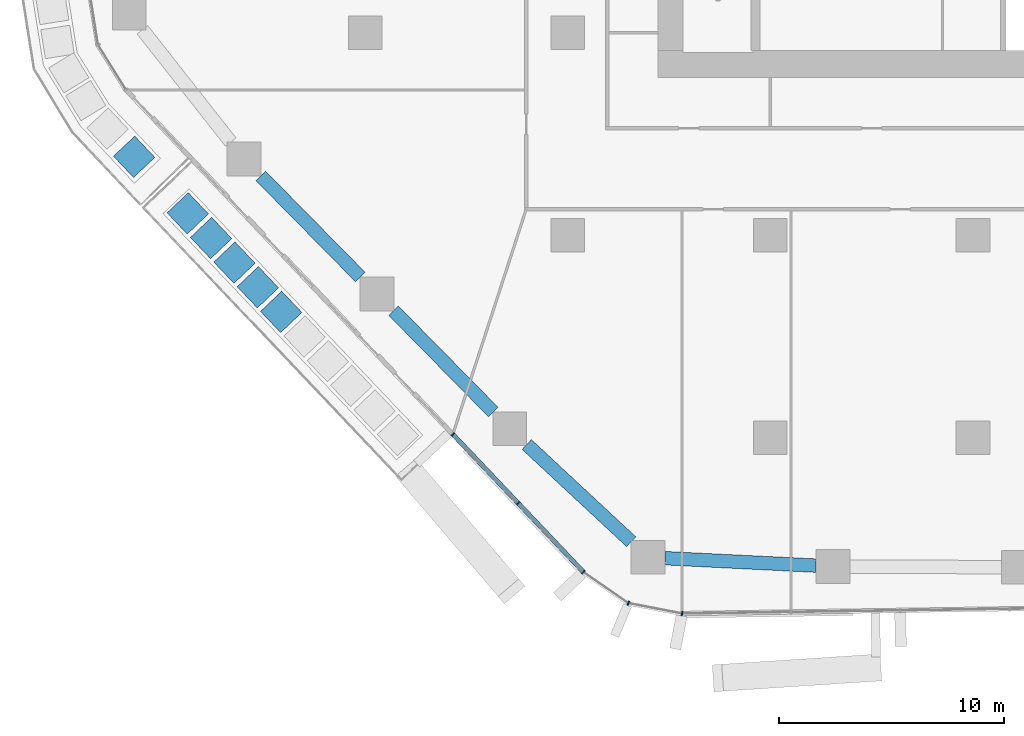
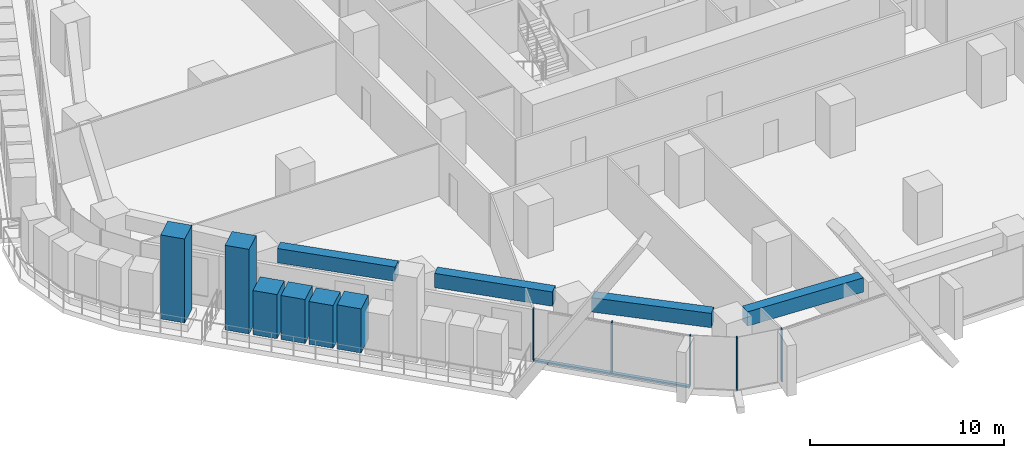
# One storey, part 2 of 24: 12 members, 4 beams, 2 elements without a shape of their own.
"""IFC4 building model written with IfcOpenShell, lengths in metres."""

from ifc_helpers import new_model, si_unit, direction, frame, origin, origin_2d, place, context, subcontext, project, spatial, rectangle, extrude, material, layer, layer_set, material_profile, profile_set, type_object, element, aggregate, save


model = new_model("IFC4")

# Units and contexts
model_context = context("Model", 3, precision=1e-05, world=origin(), true_north=direction((0.0, 1.0)))
body_context = subcontext(model_context, "Body", "Model", "MODEL_VIEW")
ifc_project = project(units=[si_unit("LENGTHUNIT", "METRE"), si_unit("AREAUNIT", "SQUARE_METRE"), si_unit("VOLUMEUNIT", "CUBIC_METRE"), si_unit("PLANEANGLEUNIT", "RADIAN"), si_unit("MASSUNIT", "GRAM", prefix="KILO")], contexts=[model_context])

# Site, building, storey
site_placement = place(None, origin())
site = spatial("IfcSite", under=ifc_project, at=site_placement, CompositionType="ELEMENT")
building_placement = place(site_placement, origin())
building = spatial("IfcBuilding", under=site, at=building_placement, Name="Dongbaek Canopy Tower", CompositionType="ELEMENT")
storey_placement = place(building_placement, frame((0.0, 0.0, 51.39990234375)))
storey = spatial("IfcBuildingStorey", under=building, at=storey_placement, Name="L08", CompositionType="ELEMENT", Elevation=51.39990234375)

# Curtain wall, members
ifc_material_1 = material(Name="Aluminium 6063-T6 pale anodised", Category="aluminium")
ifc_layer = layer(ifc_material_1, 0.199951171875)
ifc_layer_set = layer_set([ifc_layer], Name="CW-1 unitised tower curtain wall")
curtain_wall_type = type_object("IfcCurtainWallType", Name="CW-1 unitised tower curtain wall", PredefinedType="NOTDEFINED", material=ifc_layer_set)
curtain_wall_1_placement = place(storey_placement, origin())
curtain_wall_1 = element("IfcCurtainWall", 1, at=curtain_wall_1_placement, inside=storey, type_object=curtain_wall_type, Name="CW-1 curtain wall F3.1", PredefinedType="NOTDEFINED")
ifc_material_2 = material(Name="Aluminium 6063-T6 pale anodised", Category="aluminium")
ifc_material_profile_1 = material_profile(ifc_material_2, rectangle(XDim=0.199951171875, YDim=0.06005859375, at=origin_2d()), Name="CW-1 mullion 60 x 200")
ifc_profile_set_1 = profile_set([ifc_material_profile_1], Name="Aluminium 6063-T6 pale anodised")
member_type_1 = type_object("IfcMemberType", Name="CW-1 mullion 60 x 200", PredefinedType="MULLION", material=ifc_profile_set_1)
member_1_placement = place(storey_placement, frame((-23.107421875, -26.84814453125, 0.1201171875), z_axis=(0.0, 0.0, 1.0), x_axis=(-0.725626548924, -0.688088738098, 0.0)))
member_1 = element("IfcMember", 2, at=member_1_placement, type_object=member_type_1, Name="CW-1 mullion F3.1.1", PredefinedType="MULLION", context=body_context, shape_type="SweptSolid", body=[
    extrude(rectangle(XDim=0.199951171875, YDim=0.06005859375, at=origin_2d()), origin(), (0.0, 0.0, 1.0), 3.179931640625),
])
member_2_placement = place(storey_placement, frame((-20.203369140625, -29.91064453125, 0.1201171875), z_axis=(0.0, 0.0, 1.0), x_axis=(-0.725626548924, -0.688088738098, 0.0)))
member_2 = element("IfcMember", 3, at=member_2_placement, type_object=member_type_1, Name="CW-1 mullion F3.1.2", PredefinedType="MULLION", context=body_context, shape_type="SweptSolid", body=[
    extrude(rectangle(XDim=0.199951171875, YDim=0.06005859375, at=origin_2d()), origin(), (0.0, 0.0, 1.0), 3.179931640625),
])
member_3_placement = place(storey_placement, frame((-17.306396484375, -32.9658203125, 0.1201171875), z_axis=(0.0, 0.0, 1.0), x_axis=(-0.725626548924, -0.688088738098, 0.0)))
member_3 = element("IfcMember", 4, at=member_3_placement, type_object=member_type_1, Name="CW-1 mullion F3.1.3", PredefinedType="MULLION", context=body_context, shape_type="SweptSolid", body=[
    extrude(rectangle(XDim=0.199951171875, YDim=0.06005859375, at=origin_2d()), origin(), (0.0, 0.0, 1.0), 3.179931640625),
])

curtain_wall_2_placement = place(storey_placement, origin())
curtain_wall_2 = element("IfcCurtainWall", 5, at=curtain_wall_2_placement, inside=storey, type_object=curtain_wall_type, Name="CW-1 curtain wall K4.1", PredefinedType="NOTDEFINED")
member_4_placement = place(storey_placement, frame((-15.3076171875, -34.348876953125, 0.0), z_axis=(0.0, 0.0, 1.0), x_axis=(-0.388186162489, -0.921580980301, 0.0)))
member_4 = element("IfcMember", 6, at=member_4_placement, type_object=member_type_1, Name="CW-1 mullion K4.1.2", PredefinedType="MULLION", context=body_context, shape_type="SweptSolid", body=[
    extrude(rectangle(XDim=0.199951171875, YDim=0.06005859375, at=origin_2d()), origin(), (0.0, 0.0, 1.0), 3.300048828125),
])
member_5_placement = place(storey_placement, frame((-12.92138671875, -34.812744140625, 0.0), z_axis=(0.0, 0.0, 1.0), x_axis=(-0.190843757955, -0.981620425648, 0.0)))
member_5 = element("IfcMember", 7, at=member_5_placement, type_object=member_type_1, Name="CW-1 mullion K4.1.3", PredefinedType="MULLION", context=body_context, shape_type="SweptSolid", body=[
    extrude(rectangle(XDim=0.199951171875, YDim=0.06005859375, at=origin_2d()), origin(), (0.0, 0.0, 1.0), 3.300048828125),
])
aggregate(curtain_wall_2, [member_4, member_5])

# Member
ifc_material_3 = material(Name="Aluminium 6063-T6 pale anodised", Category="aluminium")
ifc_material_profile_2 = material_profile(ifc_material_3, rectangle(XDim=0.199951171875, YDim=0.1201171875, at=origin_2d()), Name="CW-1 transom 120 x 200")
ifc_profile_set_2 = profile_set([ifc_material_profile_2], Name="Aluminium 6063-T6 pale anodised")
member_type_2 = type_object("IfcMemberType", Name="CW-1 transom 120 x 200", PredefinedType="USERDEFINED", material=ifc_profile_set_2)
member_6_placement = place(storey_placement, frame((-23.107421875, -26.84814453125, 0.06005859375), z_axis=(0.688077912798, -0.72563681406, 0.0), x_axis=(0.72563681406, 0.688077912798, 0.0)))
member_6 = element("IfcMember", 8, at=member_6_placement, type_object=member_type_2, Name="CW-1 transom F3.1.1", ObjectType="TRANSOM", PredefinedType="USERDEFINED", context=body_context, shape_type="SweptSolid", body=[
    extrude(rectangle(XDim=0.199951171875, YDim=0.1201171875, at=origin_2d()), origin(), (0.0, 0.0, 1.0), 8.4306640625),
])

aggregate(curtain_wall_1, [member_1, member_2, member_3, member_6])

# Beams
ifc_material_4 = material(Name="Concrete C80", Category="concrete")
ifc_material_profile_3 = material_profile(ifc_material_4, rectangle(XDim=0.60009765625, YDim=0.89990234375, at=origin_2d()), Name="RC EDGE BEAM 600x900 C80")
ifc_profile_set_3 = profile_set([ifc_material_profile_3], Name="Concrete C80")
beam_type = type_object("IfcBeamType", Name="RC EDGE BEAM 600x900 C80", PredefinedType="BEAM", material=ifc_profile_set_3)
beam_1_placement = place(storey_placement, frame((-6.971923828125, -32.68017578125, 2.85009765625), z_axis=(-0.998791258722, 0.049153041612, 0.0), x_axis=(-0.049153041612, -0.998791258722, 0.0)))
element("IfcBeam", 9, at=beam_1_placement, inside=storey, type_object=beam_type, Name="EDGEBEAM:L08:03", PredefinedType="BEAM", context=body_context, shape_type="SweptSolid", body=[
    extrude(rectangle(XDim=0.60009765625, YDim=0.89990234375, at=origin_2d()), origin(), (0.0, 0.0, 1.0), 6.72021484375),
])
beam_2_placement = place(storey_placement, frame((-15.18408203125, -31.615478515625, 2.85009765625), z_axis=(-0.732207291567, 0.681081846899, 0.0), x_axis=(-0.681081846899, -0.732207291567, 0.0)))
element("IfcBeam", 10, at=beam_2_placement, inside=storey, type_object=beam_type, Name="EDGEBEAM:L08:04", PredefinedType="BEAM", context=body_context, shape_type="SweptSolid", body=[
    extrude(rectangle(XDim=0.60009765625, YDim=0.89990234375, at=origin_2d()), origin(), (0.0, 0.0, 1.0), 6.3369140625),
])
beam_3_placement = place(storey_placement, frame((-21.312744140625, -25.85205078125, 2.85009765625), z_axis=(-0.701726082417, 0.712446843811, 0.0), x_axis=(-0.712446843811, -0.701726082417, 0.0)))
element("IfcBeam", 11, at=beam_3_placement, inside=storey, type_object=beam_type, Name="EDGEBEAM:L08:05", PredefinedType="BEAM", context=body_context, shape_type="SweptSolid", body=[
    extrude(rectangle(XDim=0.60009765625, YDim=0.89990234375, at=origin_2d()), origin(), (0.0, 0.0, 1.0), 6.30810546875),
])
beam_4_placement = place(storey_placement, frame((-27.216552734375, -19.85791015625, 2.85009765625), z_axis=(-0.701687682569, 0.712484663787, 0.0), x_axis=(-0.712484663787, -0.701687682569, 0.0)))
element("IfcBeam", 12, at=beam_4_placement, inside=storey, type_object=beam_type, Name="EDGEBEAM:L08:06", PredefinedType="BEAM", context=body_context, shape_type="SweptSolid", body=[
    extrude(rectangle(XDim=0.60009765625, YDim=0.89990234375, at=origin_2d()), origin(), (0.0, 0.0, 1.0), 6.308837890625),
])

# Members
ifc_material_5 = material(Name="Concrete C40/50 planter mass with planting", Category="concrete")
ifc_material_profile_4 = material_profile(ifc_material_5, rectangle(XDim=1.300048828125, YDim=1.300048828125, at=origin_2d()), Name="Terrace PLANTER shrub mass 1300 x 1300")
ifc_profile_set_4 = profile_set([ifc_material_profile_4], Name="Concrete C40/50 planter mass with planting")
member_type_3 = type_object("IfcMemberType", Name="Terrace PLANTER shrub mass 1300 x 1300", PredefinedType="USERDEFINED", material=ifc_profile_set_4)
member_7_placement = place(storey_placement, frame((-34.884521484375, -17.030029296875, 0.420166015625), z_axis=(0.0, 0.0, 1.0), x_axis=(-0.725626548924, -0.688088738098, 0.0)))
element("IfcMember", 13, at=member_7_placement, inside=storey, type_object=member_type_3, Name="Planter tree L08 3.1", ObjectType="PLANTER", PredefinedType="USERDEFINED", context=body_context, shape_type="SweptSolid", body=[
    extrude(rectangle(XDim=1.300048828125, YDim=1.300048828125, at=origin_2d()), origin(), (0.0, 0.0, 1.0), 5.329833984375),
])
member_8_placement = place(storey_placement, frame((-33.8466796875, -18.12451171875, 0.420166015625), z_axis=(0.0, 0.0, 1.0), x_axis=(-0.725626548924, -0.688088738098, 0.0)))
element("IfcMember", 14, at=member_8_placement, inside=storey, type_object=member_type_3, Name="Planter shrubs L08 3.2", ObjectType="PLANTER", PredefinedType="USERDEFINED", context=body_context, shape_type="SweptSolid", body=[
    extrude(rectangle(XDim=1.300048828125, YDim=1.300048828125, at=origin_2d()), origin(), (0.0, 0.0, 1.0), 2.780029296875),
])
member_9_placement = place(storey_placement, frame((-32.80908203125, -19.21875, 0.420166015625), z_axis=(0.0, 0.0, 1.0), x_axis=(-0.725626548924, -0.688088738098, 0.0)))
element("IfcMember", 15, at=member_9_placement, inside=storey, type_object=member_type_3, Name="Planter shrubs L08 3.3", ObjectType="PLANTER", PredefinedType="USERDEFINED", context=body_context, shape_type="SweptSolid", body=[
    extrude(rectangle(XDim=1.300048828125, YDim=1.300048828125, at=origin_2d()), origin(), (0.0, 0.0, 1.0), 2.77001953125),
])
member_10_placement = place(storey_placement, frame((-31.771240234375, -20.313232421875, 0.420166015625), z_axis=(0.0, 0.0, 1.0), x_axis=(-0.725626548924, -0.688088738098, 0.0)))
element("IfcMember", 16, at=member_10_placement, inside=storey, type_object=member_type_3, Name="Planter shrubs L08 3.4", ObjectType="PLANTER", PredefinedType="USERDEFINED", context=body_context, shape_type="SweptSolid", body=[
    extrude(rectangle(XDim=1.300048828125, YDim=1.300048828125, at=origin_2d()), origin(), (0.0, 0.0, 1.0), 2.68994140625),
])
member_11_placement = place(storey_placement, frame((-30.7333984375, -21.40771484375, 0.420166015625), z_axis=(0.0, 0.0, 1.0), x_axis=(-0.725626548924, -0.688088738098, 0.0)))
element("IfcMember", 17, at=member_11_placement, inside=storey, type_object=member_type_3, Name="Planter shrubs L08 3.5", ObjectType="PLANTER", PredefinedType="USERDEFINED", context=body_context, shape_type="SweptSolid", body=[
    extrude(rectangle(XDim=1.300048828125, YDim=1.300048828125, at=origin_2d()), origin(), (0.0, 0.0, 1.0), 2.780029296875),
])
member_12_placement = place(storey_placement, frame((-37.2666015625, -14.514892578125, 0.420166015625), z_axis=(0.0, 0.0, 1.0), x_axis=(-0.727322068282, -0.686296298248, 0.0)))
element("IfcMember", 18, at=member_12_placement, inside=storey, type_object=member_type_3, Name="Planter tree L08 6.7", ObjectType="PLANTER", PredefinedType="USERDEFINED", context=body_context, shape_type="SweptSolid", body=[
    extrude(rectangle(XDim=1.300048828125, YDim=1.300048828125, at=origin_2d()), origin(), (0.0, 0.0, 1.0), 5.2900390625),
])

save(model, "model.ifc")
